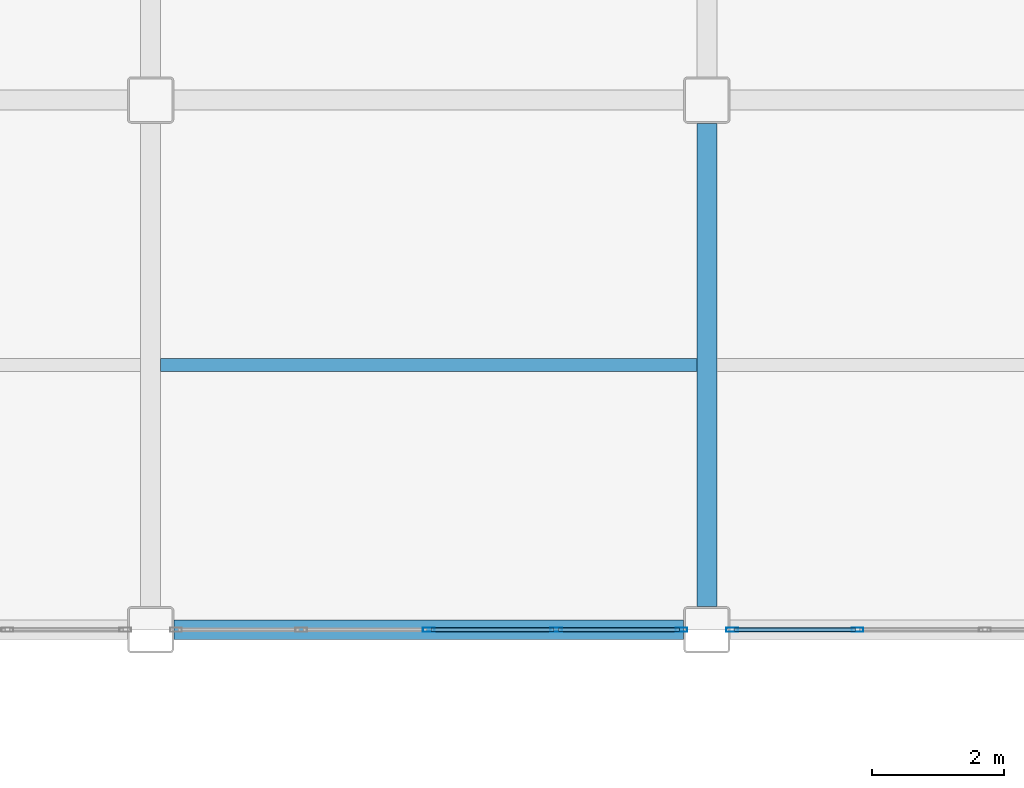
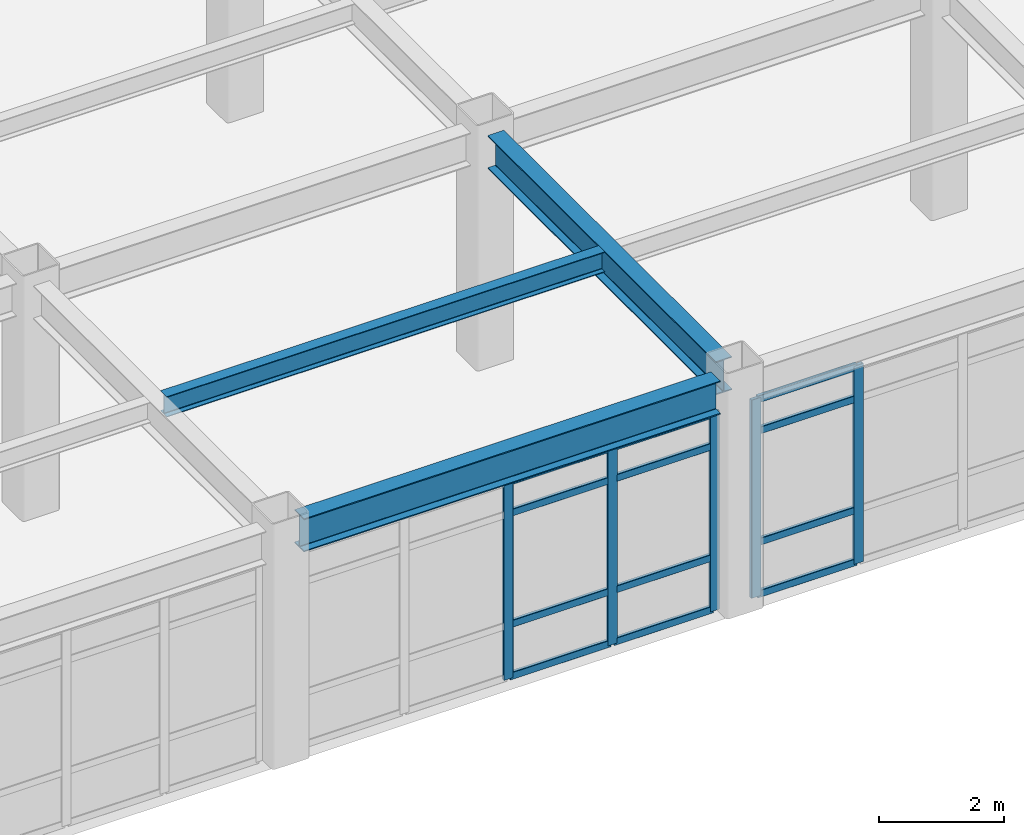
# One storey, part 49 of 172: 17 members, 3 beams, 2 elements without a shape of their own.
"""IFC4 building model written with IfcOpenShell, lengths in metres."""

from ifc_helpers import new_model, si_unit, direction, frame, origin, origin_2d, place, context, subcontext, project, spatial, hollow_rectangle, i_section, extrude, material, layer, layer_set, material_profile, profile_set, type_object, element, aggregate, save


model = new_model("IFC4")

# Units and contexts
model_context = context("Model", 3, precision=1e-05, world=origin(), true_north=direction((0.0, 1.0)))
body_context = subcontext(model_context, "Body", "Model", "MODEL_VIEW")
ifc_project = project(units=[si_unit("LENGTHUNIT", "METRE"), si_unit("AREAUNIT", "SQUARE_METRE"), si_unit("VOLUMEUNIT", "CUBIC_METRE"), si_unit("PLANEANGLEUNIT", "RADIAN"), si_unit("MASSUNIT", "GRAM", prefix="KILO")], contexts=[model_context])

# Site, building, storey
site_placement = place(None, origin())
site = spatial("IfcSite", under=ifc_project, at=site_placement, CompositionType="ELEMENT")
building_placement = place(site_placement, origin())
building = spatial("IfcBuilding", under=site, at=building_placement, Name="Kazehara Bluff Congress Hotel", CompositionType="ELEMENT")
storey_placement = place(building_placement, frame((0.0, 0.0, 5.39990234375)))
storey = spatial("IfcBuildingStorey", under=building, at=storey_placement, Name="L01", CompositionType="ELEMENT", Elevation=5.39990234375)

# Curtain wall, members
ifc_material_1 = material(Name="Anodised aluminium", Category="aluminium")
ifc_layer = layer(ifc_material_1, 0.159912109375)
ifc_layer_set = layer_set([ifc_layer], Name="Anodised aluminium")
curtain_wall_type = type_object("IfcCurtainWallType", Name="TP-CW-79", PredefinedType="NOTDEFINED", material=ifc_layer_set)
curtain_wall_1_placement = place(storey_placement, origin())
curtain_wall_1 = element("IfcCurtainWall", 1, at=curtain_wall_1_placement, inside=storey, type_object=curtain_wall_type, Name="L01 curtain wall CW-79 CW-V5-L01-Y1600-11885", PredefinedType="NOTDEFINED")
ifc_material_2 = material(Name="Anodised aluminium", Category="aluminium")
ifc_material_profile_1 = material_profile(ifc_material_2, hollow_rectangle(XDim=0.06494140625, YDim=0.179931640625, WallThickness=0.00390625, InnerFilletRadius=0.00390625, OuterFilletRadius=0.008056640625, at=origin_2d()))
ifc_profile_set_1 = profile_set([ifc_material_profile_1], Name="Anodised aluminium")
member_type_1 = type_object("IfcMemberType", Name="TP-CWM-02", PredefinedType="MULLION", material=ifc_profile_set_1)
member_1_placement = place(storey_placement, frame((122.699951171875, 16.0, 0.0), z_axis=(0.0, 0.0, 1.0), x_axis=(0.0, 1.0, 0.0)))
member_1 = element("IfcMember", 2, at=member_1_placement, type_object=member_type_1, Name="CW-79 mullion 3", PredefinedType="MULLION", context=body_context, shape_type="SweptSolid", body=[
    extrude(hollow_rectangle(XDim=0.06494140625, YDim=0.179931640625, WallThickness=0.00390625, InnerFilletRadius=0.00390625, OuterFilletRadius=0.008056640625, at=origin_2d()), origin(), (0.0, 0.0, 1.0), 3.875),
])
member_2_placement = place(storey_placement, frame((124.625, 16.0, 0.0), z_axis=(0.0, 0.0, 1.0), x_axis=(0.0, 1.0, 0.0)))
member_2 = element("IfcMember", 3, at=member_2_placement, type_object=member_type_1, Name="CW-79 mullion 4", PredefinedType="MULLION", context=body_context, shape_type="SweptSolid", body=[
    extrude(hollow_rectangle(XDim=0.06494140625, YDim=0.179931640625, WallThickness=0.00390625, InnerFilletRadius=0.00390625, OuterFilletRadius=0.008056640625, at=origin_2d()), origin(), (0.0, 0.0, 1.0), 3.875),
])
member_3_placement = place(storey_placement, frame((126.517578125, 16.0, 0.0), z_axis=(0.0, 0.0, 1.0), x_axis=(0.0, 1.0, 0.0)))
member_3 = element("IfcMember", 4, at=member_3_placement, type_object=member_type_1, Name="CW-79 mullion 5", PredefinedType="MULLION", context=body_context, shape_type="SweptSolid", body=[
    extrude(hollow_rectangle(XDim=0.06494140625, YDim=0.179931640625, WallThickness=0.00390625, InnerFilletRadius=0.00390625, OuterFilletRadius=0.008056640625, at=origin_2d()), origin(), (0.0, 0.0, 1.0), 3.875),
])

curtain_wall_2_placement = place(storey_placement, origin())
curtain_wall_2 = element("IfcCurtainWall", 5, at=curtain_wall_2_placement, inside=storey, type_object=curtain_wall_type, Name="L01 curtain wall CW-79 CW-V5-L01-Y1600-12725", PredefinedType="NOTDEFINED")
member_4_placement = place(storey_placement, frame((127.282470703125, 16.0, 0.0), z_axis=(0.0, 0.0, 1.0), x_axis=(0.0, 1.0, 0.0)))
member_4 = element("IfcMember", 6, at=member_4_placement, type_object=member_type_1, Name="CW-79 mullion 1", PredefinedType="MULLION", context=body_context, shape_type="SweptSolid", body=[
    extrude(hollow_rectangle(XDim=0.06494140625, YDim=0.179931640625, WallThickness=0.00390625, InnerFilletRadius=0.00390625, OuterFilletRadius=0.008056640625, at=origin_2d()), origin(), (0.0, 0.0, 1.0), 3.875),
])
member_5_placement = place(storey_placement, frame((129.175048828125, 16.0, 0.0), z_axis=(0.0, 0.0, 1.0), x_axis=(0.0, 1.0, 0.0)))
member_5 = element("IfcMember", 7, at=member_5_placement, type_object=member_type_1, Name="CW-79 mullion 2", PredefinedType="MULLION", context=body_context, shape_type="SweptSolid", body=[
    extrude(hollow_rectangle(XDim=0.06494140625, YDim=0.179931640625, WallThickness=0.00390625, InnerFilletRadius=0.00390625, OuterFilletRadius=0.008056640625, at=origin_2d()), origin(), (0.0, 0.0, 1.0), 3.875),
])

# Member
ifc_material_3 = material(Name="Anodised aluminium", Category="aluminium")
ifc_material_profile_2 = material_profile(ifc_material_3, hollow_rectangle(XDim=0.06494140625, YDim=0.139892578125, WallThickness=0.00390625, InnerFilletRadius=0.00390625, OuterFilletRadius=0.008056640625, at=origin_2d()))
ifc_profile_set_2 = profile_set([ifc_material_profile_2], Name="Anodised aluminium")
member_type_2 = type_object("IfcMemberType", Name="TP-CWT-02", PredefinedType="USERDEFINED", material=ifc_profile_set_2)
member_6_placement = place(storey_placement, frame((122.732421875, 16.0, 0.03271484375), z_axis=(1.0, 0.0, 0.0), x_axis=(0.0, 1.0, 0.0)))
member_6 = element("IfcMember", 8, at=member_6_placement, type_object=member_type_2, Name="CW-79 transom 3.1", ObjectType="TRANSOM", PredefinedType="USERDEFINED", context=body_context, shape_type="SweptSolid", body=[
    extrude(hollow_rectangle(XDim=0.06494140625, YDim=0.139892578125, WallThickness=0.00390625, InnerFilletRadius=0.00390625, OuterFilletRadius=0.008056640625, at=origin_2d()), origin(), (0.0, 0.0, 1.0), 1.860107421875),
])

member_7_placement = place(storey_placement, frame((122.732421875, 16.0, 1.050048828125), z_axis=(1.0, 0.0, 0.0), x_axis=(0.0, 1.0, 0.0)))
member_7 = element("IfcMember", 9, at=member_7_placement, type_object=member_type_2, Name="CW-79 transom 3.2", ObjectType="TRANSOM", PredefinedType="USERDEFINED", context=body_context, shape_type="SweptSolid", body=[
    extrude(hollow_rectangle(XDim=0.06494140625, YDim=0.139892578125, WallThickness=0.00390625, InnerFilletRadius=0.00390625, OuterFilletRadius=0.008056640625, at=origin_2d()), origin(), (0.0, 0.0, 1.0), 1.860107421875),
])

member_8_placement = place(storey_placement, frame((122.732421875, 16.0, 3.22509765625), z_axis=(1.0, 0.0, 0.0), x_axis=(0.0, 1.0, 0.0)))
member_8 = element("IfcMember", 10, at=member_8_placement, type_object=member_type_2, Name="CW-79 transom 3.3", ObjectType="TRANSOM", PredefinedType="USERDEFINED", context=body_context, shape_type="SweptSolid", body=[
    extrude(hollow_rectangle(XDim=0.06494140625, YDim=0.139892578125, WallThickness=0.00390625, InnerFilletRadius=0.00390625, OuterFilletRadius=0.008056640625, at=origin_2d()), origin(), (0.0, 0.0, 1.0), 1.860107421875),
])

member_9_placement = place(storey_placement, frame((122.732421875, 16.0, 3.842529296875), z_axis=(1.0, 0.0, 0.0), x_axis=(0.0, 1.0, 0.0)))
member_9 = element("IfcMember", 11, at=member_9_placement, type_object=member_type_2, Name="CW-79 transom 3.4", ObjectType="TRANSOM", PredefinedType="USERDEFINED", context=body_context, shape_type="SweptSolid", body=[
    extrude(hollow_rectangle(XDim=0.06494140625, YDim=0.139892578125, WallThickness=0.00390625, InnerFilletRadius=0.00390625, OuterFilletRadius=0.008056640625, at=origin_2d()), origin(), (0.0, 0.0, 1.0), 1.860107421875),
])

member_10_placement = place(storey_placement, frame((124.657470703125, 16.0, 0.03271484375), z_axis=(1.0, 0.0, 0.0), x_axis=(0.0, 1.0, 0.0)))
member_10 = element("IfcMember", 12, at=member_10_placement, type_object=member_type_2, Name="CW-79 transom 4.1", ObjectType="TRANSOM", PredefinedType="USERDEFINED", context=body_context, shape_type="SweptSolid", body=[
    extrude(hollow_rectangle(XDim=0.06494140625, YDim=0.139892578125, WallThickness=0.00390625, InnerFilletRadius=0.00390625, OuterFilletRadius=0.008056640625, at=origin_2d()), origin(), (0.0, 0.0, 1.0), 1.82763671875),
])

member_11_placement = place(storey_placement, frame((124.657470703125, 16.0, 1.050048828125), z_axis=(1.0, 0.0, 0.0), x_axis=(0.0, 1.0, 0.0)))
member_11 = element("IfcMember", 13, at=member_11_placement, type_object=member_type_2, Name="CW-79 transom 4.2", ObjectType="TRANSOM", PredefinedType="USERDEFINED", context=body_context, shape_type="SweptSolid", body=[
    extrude(hollow_rectangle(XDim=0.06494140625, YDim=0.139892578125, WallThickness=0.00390625, InnerFilletRadius=0.00390625, OuterFilletRadius=0.008056640625, at=origin_2d()), origin(), (0.0, 0.0, 1.0), 1.82763671875),
])

member_12_placement = place(storey_placement, frame((124.657470703125, 16.0, 3.22509765625), z_axis=(1.0, 0.0, 0.0), x_axis=(0.0, 1.0, 0.0)))
member_12 = element("IfcMember", 14, at=member_12_placement, type_object=member_type_2, Name="CW-79 transom 4.3", ObjectType="TRANSOM", PredefinedType="USERDEFINED", context=body_context, shape_type="SweptSolid", body=[
    extrude(hollow_rectangle(XDim=0.06494140625, YDim=0.139892578125, WallThickness=0.00390625, InnerFilletRadius=0.00390625, OuterFilletRadius=0.008056640625, at=origin_2d()), origin(), (0.0, 0.0, 1.0), 1.82763671875),
])

member_13_placement = place(storey_placement, frame((124.657470703125, 16.0, 3.842529296875), z_axis=(1.0, 0.0, 0.0), x_axis=(0.0, 1.0, 0.0)))
member_13 = element("IfcMember", 15, at=member_13_placement, type_object=member_type_2, Name="CW-79 transom 4.4", ObjectType="TRANSOM", PredefinedType="USERDEFINED", context=body_context, shape_type="SweptSolid", body=[
    extrude(hollow_rectangle(XDim=0.06494140625, YDim=0.139892578125, WallThickness=0.00390625, InnerFilletRadius=0.00390625, OuterFilletRadius=0.008056640625, at=origin_2d()), origin(), (0.0, 0.0, 1.0), 1.82763671875),
])

aggregate(curtain_wall_1, [member_1, member_2, member_3, member_6, member_7, member_8, member_9, member_10, member_11, member_12, member_13])

member_14_placement = place(storey_placement, frame((127.31494140625, 16.0, 0.03271484375), z_axis=(1.0, 0.0, 0.0), x_axis=(0.0, 1.0, 0.0)))
member_14 = element("IfcMember", 16, at=member_14_placement, type_object=member_type_2, Name="CW-79 transom 1.1", ObjectType="TRANSOM", PredefinedType="USERDEFINED", context=body_context, shape_type="SweptSolid", body=[
    extrude(hollow_rectangle(XDim=0.06494140625, YDim=0.139892578125, WallThickness=0.00390625, InnerFilletRadius=0.00390625, OuterFilletRadius=0.008056640625, at=origin_2d()), origin(), (0.0, 0.0, 1.0), 1.82763671875),
])

member_15_placement = place(storey_placement, frame((127.31494140625, 16.0, 1.050048828125), z_axis=(1.0, 0.0, 0.0), x_axis=(0.0, 1.0, 0.0)))
member_15 = element("IfcMember", 17, at=member_15_placement, type_object=member_type_2, Name="CW-79 transom 1.2", ObjectType="TRANSOM", PredefinedType="USERDEFINED", context=body_context, shape_type="SweptSolid", body=[
    extrude(hollow_rectangle(XDim=0.06494140625, YDim=0.139892578125, WallThickness=0.00390625, InnerFilletRadius=0.00390625, OuterFilletRadius=0.008056640625, at=origin_2d()), origin(), (0.0, 0.0, 1.0), 1.82763671875),
])

member_16_placement = place(storey_placement, frame((127.31494140625, 16.0, 3.22509765625), z_axis=(1.0, 0.0, 0.0), x_axis=(0.0, 1.0, 0.0)))
member_16 = element("IfcMember", 18, at=member_16_placement, type_object=member_type_2, Name="CW-79 transom 1.3", ObjectType="TRANSOM", PredefinedType="USERDEFINED", context=body_context, shape_type="SweptSolid", body=[
    extrude(hollow_rectangle(XDim=0.06494140625, YDim=0.139892578125, WallThickness=0.00390625, InnerFilletRadius=0.00390625, OuterFilletRadius=0.008056640625, at=origin_2d()), origin(), (0.0, 0.0, 1.0), 1.82763671875),
])

member_17_placement = place(storey_placement, frame((127.31494140625, 16.0, 3.842529296875), z_axis=(1.0, 0.0, 0.0), x_axis=(0.0, 1.0, 0.0)))
member_17 = element("IfcMember", 19, at=member_17_placement, type_object=member_type_2, Name="CW-79 transom 1.4", ObjectType="TRANSOM", PredefinedType="USERDEFINED", context=body_context, shape_type="SweptSolid", body=[
    extrude(hollow_rectangle(XDim=0.06494140625, YDim=0.139892578125, WallThickness=0.00390625, InnerFilletRadius=0.00390625, OuterFilletRadius=0.008056640625, at=origin_2d()), origin(), (0.0, 0.0, 1.0), 1.82763671875),
])

aggregate(curtain_wall_2, [member_4, member_5, member_14, member_15, member_16, member_17])

# Beams
ifc_material_4 = material(Name="Steel SN490B", Category="steel")
ifc_material_profile_3 = material_profile(ifc_material_4, i_section(OverallWidth=0.300048828125, OverallDepth=0.64990234375, WebThickness=0.011962890625, FlangeThickness=0.02001953125, FilletRadius=0.012939453125, at=origin_2d()))
ifc_profile_set_3 = profile_set([ifc_material_profile_3], Name="Steel SN490B")
beam_type_1 = type_object("IfcBeamType", Name="TP-G-03", PredefinedType="BEAM", material=ifc_profile_set_3)
beam_1_placement = place(storey_placement, frame((126.89990234375, 16.35009765625, 4.22509765625), z_axis=(0.0, 1.0, 0.0), x_axis=(-1.0, 0.0, 0.0)))
element("IfcBeam", 20, at=beam_1_placement, inside=storey, type_object=beam_type_1, Name="L01 girder G-03 225", PredefinedType="BEAM", context=body_context, shape_type="SweptSolid", body=[
    extrude(i_section(OverallWidth=0.300048828125, OverallDepth=0.64990234375, WebThickness=0.011962890625, FlangeThickness=0.02001953125, FilletRadius=0.012939453125, at=origin_2d()), origin(), (0.0, 0.0, 1.0), 7.2998046875),
])
beam_2_placement = place(storey_placement, frame((118.85009765625, 16.0, 4.22509765625), z_axis=(1.0, 0.0, 0.0), x_axis=(0.0, 1.0, 0.0)))
element("IfcBeam", 21, at=beam_2_placement, inside=storey, type_object=beam_type_1, Name="L01 girder G-03 278", PredefinedType="BEAM", context=body_context, shape_type="SweptSolid", body=[
    extrude(i_section(OverallWidth=0.300048828125, OverallDepth=0.64990234375, WebThickness=0.011962890625, FlangeThickness=0.02001953125, FilletRadius=0.012939453125, at=origin_2d()), origin(), (0.0, 0.0, 1.0), 7.699951171875),
])
ifc_material_5 = material(Name="Steel SN400B", Category="steel")
ifc_material_profile_4 = material_profile(ifc_material_5, i_section(OverallWidth=0.199951171875, OverallDepth=0.39990234375, WebThickness=0.008056640625, FlangeThickness=0.012939453125, FilletRadius=0.012939453125, at=origin_2d()))
ifc_profile_set_4 = profile_set([ifc_material_profile_4], Name="Steel SN400B")
beam_type_2 = type_object("IfcBeamType", Name="TP-J-03", PredefinedType="JOIST", material=ifc_profile_set_4)
beam_3_placement = place(storey_placement, frame((118.64990234375, 20.0, 4.35009765625), z_axis=(1.0, 0.0, 0.0), x_axis=(0.0, 1.0, 0.0)))
element("IfcBeam", 22, at=beam_3_placement, inside=storey, type_object=beam_type_2, Name="L01 secondary joist J-03 57", PredefinedType="JOIST", context=body_context, shape_type="SweptSolid", body=[
    extrude(i_section(OverallWidth=0.199951171875, OverallDepth=0.39990234375, WebThickness=0.008056640625, FlangeThickness=0.012939453125, FilletRadius=0.012939453125, at=origin_2d()), origin(), (0.0, 0.0, 1.0), 8.10009765625),
])

save(model, "model.ifc")
